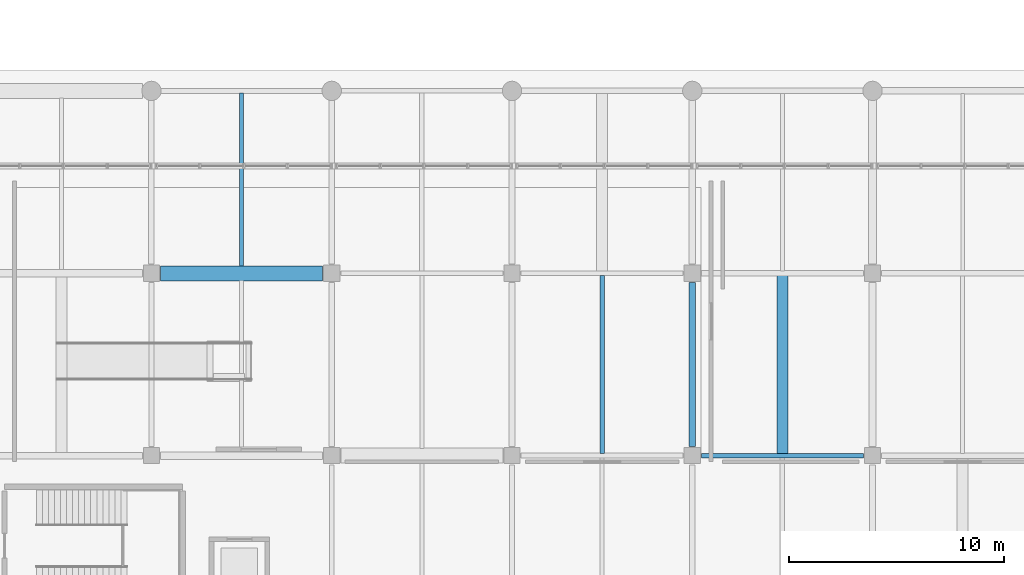
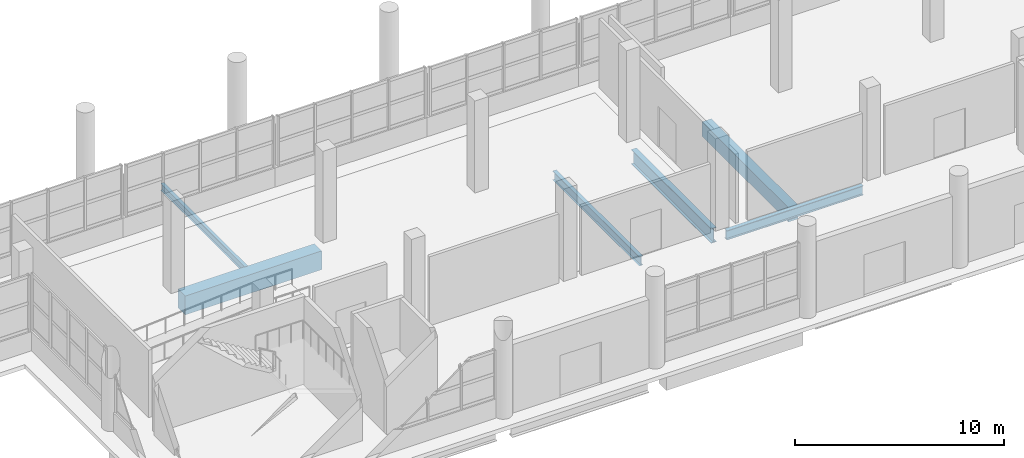
# One storey, part 50 of 107: 6 beams.
"""IFC4 building model written with IfcOpenShell, lengths in metres."""

import ifcopenshell
import ifcopenshell.guid

model = None  # the IFC model being written
_history = None  # IfcOwnerHistory: only IFC2X3 demands one
_inside = {}  # id of a spatial element -> (the spatial element, [elements in it])
_under = {}  # id of a project, library or spatial element -> (it, [spatial elements below it])
_declared = {}  # id of a project -> (the project, [libraries it declares])
_typed = {}  # id of a type object -> (the type object, [elements of that type])
_made_of = {}  # id of a material, layer set ... -> (it, [elements and type objects made of it])


def new_model(schema):
    """Start an empty IFC model of exactly this schema.

    Asked for "IFC4X3", IfcOpenShell would pick the latest addendum, in which some entities
    have other attributes; the version numbers below select the first issue.
    IFC2X3 requires an IfcOwnerHistory on every rooted entity: one is made here for all.
    """
    global model, _history
    if schema == "IFC4X3":
        model = ifcopenshell.file(schema_version=(4, 3, 0, 0))
    else:
        model = ifcopenshell.file(schema=schema)
    _inside.clear()
    _under.clear()
    _declared.clear()
    _typed.clear()
    _made_of.clear()
    _history = None
    if model.schema == "IFC2X3":
        org = make("IfcOrganization", Name="unknown")
        user = make(
            "IfcPersonAndOrganization",
            ThePerson=make("IfcPerson", FamilyName="unknown"),
            TheOrganization=org,
        )
        app = make(
            "IfcApplication",
            ApplicationDeveloper=org,
            Version="unknown",
            ApplicationFullName="unknown",
            ApplicationIdentifier="unknown",
        )
        _history = make(
            "IfcOwnerHistory",
            OwningUser=user,
            OwningApplication=app,
            ChangeAction="ADDED",
            CreationDate=0,
        )
    return model


def make(cls, **values):
    """One entity of the class cls with the attributes given. An attribute that is None is left unset."""
    return model.create_entity(
        cls, **{name: value for name, value in values.items() if value is not None}
    )


def rooted(cls, **values):
    """An entity with a GlobalId (a new one), such as an element, a storey or a relation."""
    return make(cls, GlobalId=ifcopenshell.guid.new(), OwnerHistory=_history, **values)


def si_unit(unit_type, name, prefix=None):
    """IfcSIUnit, for example si_unit("LENGTHUNIT", "METRE", prefix="MILLI")."""
    return make("IfcSIUnit", UnitType=unit_type, Prefix=prefix, Name=name)


def assignment(units):
    """IfcUnitAssignment: the units of a project."""
    return None if units is None else make("IfcUnitAssignment", Units=units)


def point(xyz):
    """IfcCartesianPoint."""
    return None if xyz is None else make("IfcCartesianPoint", Coordinates=xyz)


def direction(xyz):
    """IfcDirection."""
    return None if xyz is None else make("IfcDirection", DirectionRatios=xyz)


def frame(location, z_axis=None, x_axis=None):
    """IfcAxis2Placement3D, a coordinate frame: its origin and axes. An axis left out is left unset."""
    return make(
        "IfcAxis2Placement3D",
        Location=point(location),
        Axis=direction(z_axis),
        RefDirection=direction(x_axis),
    )


def frame_2d(location, x_axis=None):
    """IfcAxis2Placement2D, a coordinate frame in the plane: its origin and x axis."""
    return make(
        "IfcAxis2Placement2D", Location=point(location), RefDirection=direction(x_axis)
    )


def origin():
    """The frame at (0, 0, 0) with its axes left unset."""
    return frame((0.0, 0.0, 0.0))


def origin_2d():
    """The frame at (0, 0) in the plane with its x axis left unset."""
    return frame_2d((0.0, 0.0))


def place(relative_to, where):
    """IfcLocalPlacement: puts the frame where relative to a parent placement (None: the world)."""
    return make(
        "IfcLocalPlacement", PlacementRelTo=relative_to, RelativePlacement=where
    )


def context(
    kind, dimensions, precision=None, world=None, true_north=None, identifier=None
):
    """IfcGeometricRepresentationContext, for example the 3D "Model" context."""
    return make(
        "IfcGeometricRepresentationContext",
        ContextIdentifier=identifier,
        ContextType=kind,
        CoordinateSpaceDimension=dimensions,
        Precision=precision,
        WorldCoordinateSystem=world,
        TrueNorth=true_north,
    )


def subcontext(parent, identifier, kind, view, scale=None):
    """IfcGeometricRepresentationSubContext, for example "Body" below "Model"."""
    return make(
        "IfcGeometricRepresentationSubContext",
        ContextIdentifier=identifier,
        ContextType=kind,
        ParentContext=parent,
        TargetScale=scale,
        TargetView=view,
    )


def project(units=None, contexts=None):
    """IfcProject with its units and contexts."""
    return rooted(
        "IfcProject",
        Name="project",
        RepresentationContexts=contexts,
        UnitsInContext=assignment(units),
    )


def spatial(cls, under=None, at=None, **own):
    """A site, building, storey or space (cls), placed at a placement, below another one or the project."""
    s = rooted(cls, ObjectPlacement=at, **own)
    if under is not None:
        _under.setdefault(under.id(), (under, []))[1].append(s)
    return s


def profile(cls, at=None, kind="AREA", **sizes):
    """A parametric profile (cls). Its sizes go by their IFC names, for example OverallWidth=200.0."""
    return make(cls, ProfileType=kind, Position=at, **sizes)


def rectangle(**sizes):
    """IfcRectangleProfileDef."""
    return profile("IfcRectangleProfileDef", **sizes)


def i_section(**sizes):
    """IfcIShapeProfileDef."""
    return profile("IfcIShapeProfileDef", **sizes)


def extrude(swept, where, along, depth):
    """IfcExtrudedAreaSolid: the profile swept, set in the frame where, extruded along a direction by depth."""
    return make(
        "IfcExtrudedAreaSolid",
        SweptArea=swept,
        Position=where,
        ExtrudedDirection=direction(along),
        Depth=depth,
    )


def shape(context_of_items, identifier, shape_type, items):
    """IfcShapeRepresentation: the items that make up one representation, for example the "Body"."""
    return make(
        "IfcShapeRepresentation",
        ContextOfItems=context_of_items,
        RepresentationIdentifier=identifier,
        RepresentationType=shape_type,
        Items=items,
    )


def material(Name=None, Category=None):
    """IfcMaterial."""
    return make("IfcMaterial", Name=Name, Category=Category)


def material_profile(
    of_material, cross_section, Name=None, Category=None, Priority=None
):
    """IfcMaterialProfile: a cross section and its material."""
    return make(
        "IfcMaterialProfile",
        Name=Name,
        Material=of_material,
        Profile=cross_section,
        Priority=Priority,
        Category=Category,
    )


def profile_set(profiles, Name=None, composite=None):
    """IfcMaterialProfileSet."""
    return make(
        "IfcMaterialProfileSet",
        Name=Name,
        MaterialProfiles=profiles,
        CompositeProfile=composite,
    )


def made_of(thing, what):
    """Note that an element or type object is made of a material, layer set ...; save() writes the relation."""
    if what is not None:
        _made_of.setdefault(what.id(), (what, []))[1].append(thing)
    return thing


def type_object(cls, material=None, **own):
    """A type object (cls), such as IfcWallType, which elements share."""
    return made_of(rooted(cls, **own), material)


def element(
    cls,
    number,
    at=None,
    inside=None,
    cuts=None,
    type_object=None,
    material=None,
    context=None,
    identifier="Body",
    shape_type=None,
    held_by="IfcProductDefinitionShape",
    body=None,
    shapes=None,
    **own,
):
    """One element of the class cls, such as IfcWall. Its Tag is "e" and its number.

    at: its placement. inside: the storey or other place that contains it. cuts: it is an
    opening in that element (IfcRelVoidsElement). A single representation is given by context,
    identifier, shape_type and body (its items); several are given by shapes. held_by: the class
    of the entity that holds the representations. save() writes the other relations.
    """
    e = rooted(cls, Tag="e%d" % number, ObjectPlacement=at, **own)
    if body is not None:
        shapes = [shape(context, identifier, shape_type, body)]
    if shapes is not None:
        e.Representation = make(held_by, Representations=shapes)
    if inside is not None:
        _inside.setdefault(inside.id(), (inside, []))[1].append(e)
    if cuts is not None:
        rooted(
            "IfcRelVoidsElement", RelatingBuildingElement=cuts, RelatedOpeningElement=e
        )
    if type_object is not None:
        _typed.setdefault(type_object.id(), (type_object, []))[1].append(e)
    return made_of(e, material)


def aggregate(whole, parts):
    """IfcRelAggregates: a whole, such as a stair, and the parts it consists of."""
    return rooted("IfcRelAggregates", RelatingObject=whole, RelatedObjects=parts)


def save(model, path):
    """Write the relations noted so far, then the file.

    IfcRelAggregates (storeys below a building ...), IfcRelContainedInSpatialStructure (elements
    in a storey), IfcRelDefinesByType, IfcRelAssociatesMaterial and IfcRelDeclares: one each for
    every whole, place, type object, material and project.
    """
    for whole, parts in _under.values():
        aggregate(whole, parts)
    for where, things in _inside.values():
        rooted(
            "IfcRelContainedInSpatialStructure",
            RelatedElements=things,
            RelatingStructure=where,
        )
    for kind, things in _typed.values():
        rooted("IfcRelDefinesByType", RelatedObjects=things, RelatingType=kind)
    for what, things in _made_of.values():
        rooted("IfcRelAssociatesMaterial", RelatedObjects=things, RelatingMaterial=what)
    for by, libraries in _declared.values():
        rooted("IfcRelDeclares", RelatingContext=by, RelatedDefinitions=libraries)
    model.write(path)


model = new_model("IFC4")

# Units and contexts
model_context = context("Model", 3, precision=1e-05, world=origin(), true_north=direction((0.0, 1.0)))
body_context = subcontext(model_context, "Body", "Model", "MODEL_VIEW")
ifc_project = project(units=[si_unit("LENGTHUNIT", "METRE"), si_unit("AREAUNIT", "SQUARE_METRE"), si_unit("VOLUMEUNIT", "CUBIC_METRE"), si_unit("PLANEANGLEUNIT", "RADIAN"), si_unit("MASSUNIT", "GRAM", prefix="KILO")], contexts=[model_context])

# Site, building, storey
site_placement = place(None, origin())
site = spatial("IfcSite", under=ifc_project, at=site_placement, CompositionType="ELEMENT")
building_placement = place(site_placement, origin())
building = spatial("IfcBuilding", under=site, at=building_placement, Name="Solvento Point Concert Hall", CompositionType="ELEMENT")
storey_placement = place(building_placement, origin())
storey = spatial("IfcBuildingStorey", under=building, at=storey_placement, Name="L00", CompositionType="ELEMENT", Elevation=0.0)

# Beams
ifc_material_1 = material(Name="Concrete C35/45", Category="concrete")
ifc_material_profile_1 = material_profile(ifc_material_1, rectangle(XDim=0.52001953125, YDim=0.840087890625, at=origin_2d()), Name="RC-BM-520X840")
ifc_profile_set_1 = profile_set([ifc_material_profile_1], Name="Concrete C35/45")
beam_type_1 = type_object("IfcBeamType", Name="Beam_RC_520x840", PredefinedType="BEAM", material=ifc_profile_set_1)
beam_1_placement = place(storey_placement, frame((187.800048828125, 8.592041015625, -0.833984375), z_axis=(0.0, 1.0, 0.0), x_axis=(-1.0, 0.0, 0.0)))
element("IfcBeam", 1, at=beam_1_placement, inside=storey, type_object=beam_type_1, Name="Secondary floor joist B-54 L00", PredefinedType="BEAM", context=body_context, shape_type="SweptSolid", body=[
    extrude(rectangle(XDim=0.52001953125, YDim=0.840087890625, at=origin_2d()), origin(), (0.0, 0.0, 1.0), 8.294921875),
])
ifc_material_2 = material(Name="Structural Steel ASTM A992 Grade 50", Category="steel")
ifc_material_profile_2 = material_profile(ifc_material_2, i_section(OverallWidth=0.20947265625, OverallDepth=0.532958984375, WebThickness=0.01025390625, FlangeThickness=0.015625, at=origin_2d()), Name="W21X62")
ifc_profile_set_2 = profile_set([ifc_material_profile_2], Name="Structural Steel ASTM A992 Grade 50")
beam_type_2 = type_object("IfcBeamType", Name="Beam_W21X62", PredefinedType="BEAM", material=ifc_profile_set_2)
beam_2_placement = place(storey_placement, frame((179.39990234375, 8.59912109375, -0.680419921875), z_axis=(0.0, 1.0, 0.0), x_axis=(-1.0, 0.0, 0.0)))
element("IfcBeam", 2, at=beam_2_placement, inside=storey, type_object=beam_type_2, Name="Secondary floor joist B-25 L00", PredefinedType="BEAM", context=body_context, shape_type="SweptSolid", body=[
    extrude(i_section(OverallWidth=0.20947265625, OverallDepth=0.532958984375, WebThickness=0.01025390625, FlangeThickness=0.015625, at=origin_2d()), origin(), (0.0, 0.0, 1.0), 8.308837890625),
])
ifc_material_3 = material(Name="Structural Steel ASTM A992 Grade 50", Category="steel")
ifc_material_profile_3 = material_profile(ifc_material_3, i_section(OverallWidth=0.214111328125, OverallDepth=0.549072265625, WebThickness=0.0146484375, FlangeThickness=0.023681640625, at=origin_2d()), Name="W21X93")
ifc_profile_set_3 = profile_set([ifc_material_profile_3], Name="Structural Steel ASTM A992 Grade 50")
beam_type_3 = type_object("IfcBeamType", Name="Beam_W21X93", PredefinedType="BEAM", material=ifc_profile_set_3)
beam_3_placement = place(storey_placement, frame((184.02392578125, 8.5, -0.6884765625), z_axis=(1.0, 0.0, 0.0), x_axis=(0.0, 1.0, 0.0)))
element("IfcBeam", 3, at=beam_3_placement, inside=storey, type_object=beam_type_3, Name="Primary girder B-48 L00", PredefinedType="BEAM", context=body_context, shape_type="SweptSolid", body=[
    extrude(i_section(OverallWidth=0.214111328125, OverallDepth=0.549072265625, WebThickness=0.0146484375, FlangeThickness=0.023681640625, at=origin_2d()), origin(), (0.0, 0.0, 1.0), 7.552001953125),
])
ifc_material_4 = material(Name="Concrete C35/45", Category="concrete")
ifc_material_profile_4 = material_profile(ifc_material_4, rectangle(XDim=0.699951171875, YDim=1.10009765625, at=origin_2d()), Name="RC-BM-700X1100")
ifc_profile_set_4 = profile_set([ifc_material_profile_4], Name="Concrete C35/45")
beam_type_4 = type_object("IfcBeamType", Name="Girder_RC_700x1100", PredefinedType="USERDEFINED", material=ifc_profile_set_4)
beam_4_placement = place(storey_placement, frame((158.823974609375, 17.0, -0.964111328125), z_axis=(1.0, 0.0, 0.0), x_axis=(0.0, 1.0, 0.0)))
element("IfcBeam", 4, at=beam_4_placement, inside=storey, type_object=beam_type_4, Name="Primary girder B-49 L00", ObjectType="GIRDER", PredefinedType="USERDEFINED", context=body_context, shape_type="SweptSolid", body=[
    extrude(rectangle(XDim=0.699951171875, YDim=1.10009765625, at=origin_2d()), origin(), (0.0, 0.0, 1.0), 7.552001953125),
])
ifc_material_5 = material(Name="Structural Steel ASTM A992 Grade 50", Category="steel")
ifc_material_profile_5 = material_profile(ifc_material_5, i_section(OverallWidth=0.2919921875, OverallDepth=0.85888671875, WebThickness=0.01708984375, FlangeThickness=0.031005859375, at=origin_2d()), Name="W33X169")
ifc_profile_set_5 = profile_set([ifc_material_profile_5], Name="Structural Steel ASTM A992 Grade 50")
beam_type_5 = type_object("IfcBeamType", Name="Girder_W33X169", PredefinedType="USERDEFINED", material=ifc_profile_set_5)
beam_5_placement = place(storey_placement, frame((183.60009765625, 8.924072265625, -0.843505859375), z_axis=(0.0, 1.0, 0.0), x_axis=(-1.0, 0.0, 0.0)))
element("IfcBeam", 5, at=beam_5_placement, inside=storey, type_object=beam_type_5, Name="Primary girder B-33 L00", ObjectType="GIRDER", PredefinedType="USERDEFINED", context=body_context, shape_type="SweptSolid", body=[
    extrude(i_section(OverallWidth=0.2919921875, OverallDepth=0.85888671875, WebThickness=0.01708984375, FlangeThickness=0.031005859375, at=origin_2d()), origin(), (0.0, 0.0, 1.0), 7.65185546875),
])
ifc_material_6 = material(Name="Structural Steel ASTM A992 Grade 50", Category="steel")
ifc_material_profile_6 = material_profile(ifc_material_6, i_section(OverallWidth=0.177490234375, OverallDepth=0.403076171875, WebThickness=0.007568359375, FlangeThickness=0.010986328125, at=origin_2d()), Name="W16X36")
ifc_profile_set_6 = profile_set([ifc_material_profile_6], Name="Structural Steel ASTM A992 Grade 50")
beam_type_6 = type_object("IfcBeamType", Name="Joist_W16X36", PredefinedType="JOIST", material=ifc_profile_set_6)
beam_6_placement = place(storey_placement, frame((162.60009765625, 17.3349609375, -0.615478515625), z_axis=(0.0, 1.0, 0.0), x_axis=(-1.0, 0.0, 0.0)))
element("IfcBeam", 6, at=beam_6_placement, inside=storey, type_object=beam_type_6, Name="Secondary floor joist B-30 L00", PredefinedType="JOIST", context=body_context, shape_type="SweptSolid", body=[
    extrude(i_section(OverallWidth=0.177490234375, OverallDepth=0.403076171875, WebThickness=0.007568359375, FlangeThickness=0.010986328125, at=origin_2d()), origin(), (0.0, 0.0, 1.0), 8.06591796875),
])

save(model, "model.ifc")
